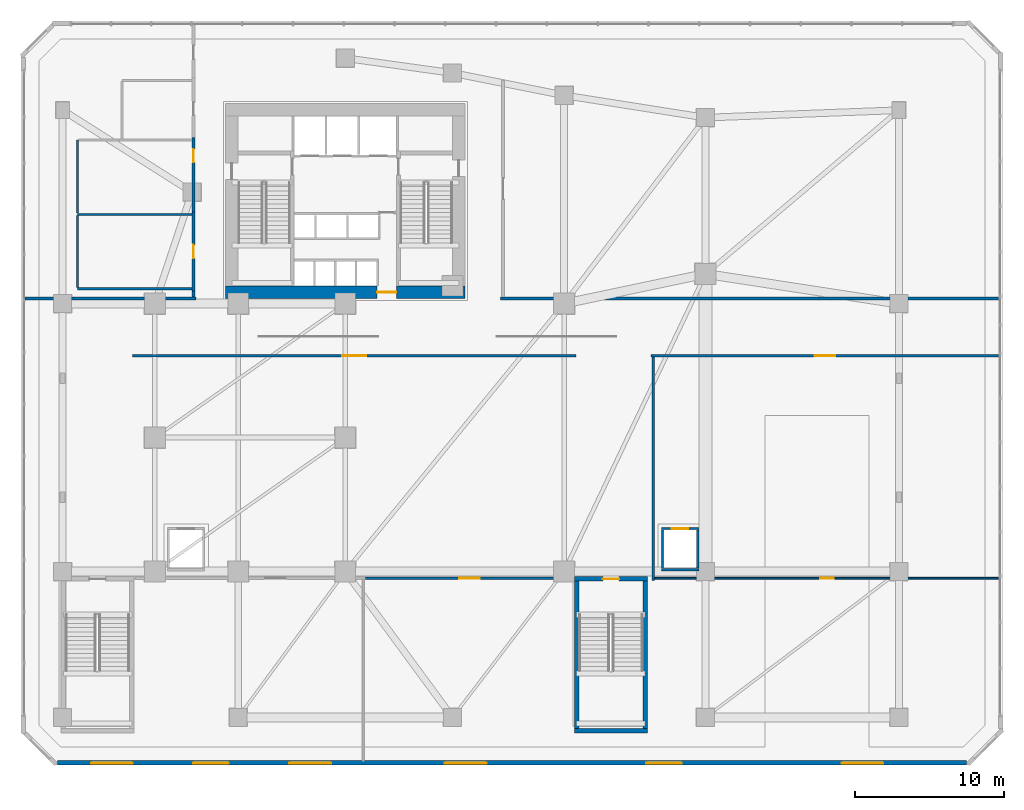
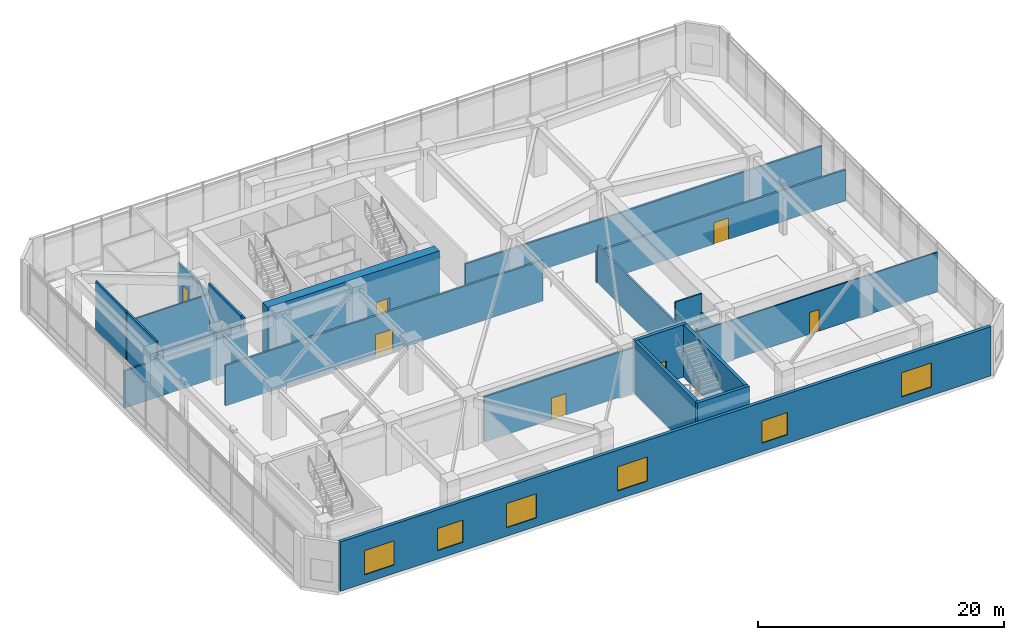
# One storey, part 10 of 16: 24 walls, 9 doors, 6 windows, 15 openings.
"""IFC4 building model written with IfcOpenShell, lengths in metres."""

import ifcopenshell
import ifcopenshell.guid

model = None  # the IFC model being written
_history = None  # IfcOwnerHistory: only IFC2X3 demands one
_inside = {}  # id of a spatial element -> (the spatial element, [elements in it])
_under = {}  # id of a project, library or spatial element -> (it, [spatial elements below it])
_declared = {}  # id of a project -> (the project, [libraries it declares])
_typed = {}  # id of a type object -> (the type object, [elements of that type])
_made_of = {}  # id of a material, layer set ... -> (it, [elements and type objects made of it])


def new_model(schema):
    """Start an empty IFC model of exactly this schema.

    Asked for "IFC4X3", IfcOpenShell would pick the latest addendum, in which some entities
    have other attributes; the version numbers below select the first issue.
    IFC2X3 requires an IfcOwnerHistory on every rooted entity: one is made here for all.
    """
    global model, _history
    if schema == "IFC4X3":
        model = ifcopenshell.file(schema_version=(4, 3, 0, 0))
    else:
        model = ifcopenshell.file(schema=schema)
    _inside.clear()
    _under.clear()
    _declared.clear()
    _typed.clear()
    _made_of.clear()
    _history = None
    if model.schema == "IFC2X3":
        org = make("IfcOrganization", Name="unknown")
        user = make(
            "IfcPersonAndOrganization",
            ThePerson=make("IfcPerson", FamilyName="unknown"),
            TheOrganization=org,
        )
        app = make(
            "IfcApplication",
            ApplicationDeveloper=org,
            Version="unknown",
            ApplicationFullName="unknown",
            ApplicationIdentifier="unknown",
        )
        _history = make(
            "IfcOwnerHistory",
            OwningUser=user,
            OwningApplication=app,
            ChangeAction="ADDED",
            CreationDate=0,
        )
    return model


def make(cls, **values):
    """One entity of the class cls with the attributes given. An attribute that is None is left unset."""
    return model.create_entity(
        cls, **{name: value for name, value in values.items() if value is not None}
    )


def rooted(cls, **values):
    """An entity with a GlobalId (a new one), such as an element, a storey or a relation."""
    return make(cls, GlobalId=ifcopenshell.guid.new(), OwnerHistory=_history, **values)


def si_unit(unit_type, name, prefix=None):
    """IfcSIUnit, for example si_unit("LENGTHUNIT", "METRE", prefix="MILLI")."""
    return make("IfcSIUnit", UnitType=unit_type, Prefix=prefix, Name=name)


def assignment(units):
    """IfcUnitAssignment: the units of a project."""
    return None if units is None else make("IfcUnitAssignment", Units=units)


def point(xyz):
    """IfcCartesianPoint."""
    return None if xyz is None else make("IfcCartesianPoint", Coordinates=xyz)


def direction(xyz):
    """IfcDirection."""
    return None if xyz is None else make("IfcDirection", DirectionRatios=xyz)


def frame(location, z_axis=None, x_axis=None):
    """IfcAxis2Placement3D, a coordinate frame: its origin and axes. An axis left out is left unset."""
    return make(
        "IfcAxis2Placement3D",
        Location=point(location),
        Axis=direction(z_axis),
        RefDirection=direction(x_axis),
    )


def frame_2d(location, x_axis=None):
    """IfcAxis2Placement2D, a coordinate frame in the plane: its origin and x axis."""
    return make(
        "IfcAxis2Placement2D", Location=point(location), RefDirection=direction(x_axis)
    )


def origin():
    """The frame at (0, 0, 0) with its axes left unset."""
    return frame((0.0, 0.0, 0.0))


def place(relative_to, where):
    """IfcLocalPlacement: puts the frame where relative to a parent placement (None: the world)."""
    return make(
        "IfcLocalPlacement", PlacementRelTo=relative_to, RelativePlacement=where
    )


def context(
    kind, dimensions, precision=None, world=None, true_north=None, identifier=None
):
    """IfcGeometricRepresentationContext, for example the 3D "Model" context."""
    return make(
        "IfcGeometricRepresentationContext",
        ContextIdentifier=identifier,
        ContextType=kind,
        CoordinateSpaceDimension=dimensions,
        Precision=precision,
        WorldCoordinateSystem=world,
        TrueNorth=true_north,
    )


def subcontext(parent, identifier, kind, view, scale=None):
    """IfcGeometricRepresentationSubContext, for example "Body" below "Model"."""
    return make(
        "IfcGeometricRepresentationSubContext",
        ContextIdentifier=identifier,
        ContextType=kind,
        ParentContext=parent,
        TargetScale=scale,
        TargetView=view,
    )


def project(units=None, contexts=None):
    """IfcProject with its units and contexts."""
    return rooted(
        "IfcProject",
        Name="project",
        RepresentationContexts=contexts,
        UnitsInContext=assignment(units),
    )


def spatial(cls, under=None, at=None, **own):
    """A site, building, storey or space (cls), placed at a placement, below another one or the project."""
    s = rooted(cls, ObjectPlacement=at, **own)
    if under is not None:
        _under.setdefault(under.id(), (under, []))[1].append(s)
    return s


def profile(cls, at=None, kind="AREA", **sizes):
    """A parametric profile (cls). Its sizes go by their IFC names, for example OverallWidth=200.0."""
    return make(cls, ProfileType=kind, Position=at, **sizes)


def rectangle(**sizes):
    """IfcRectangleProfileDef."""
    return profile("IfcRectangleProfileDef", **sizes)


def extrude(swept, where, along, depth):
    """IfcExtrudedAreaSolid: the profile swept, set in the frame where, extruded along a direction by depth."""
    return make(
        "IfcExtrudedAreaSolid",
        SweptArea=swept,
        Position=where,
        ExtrudedDirection=direction(along),
        Depth=depth,
    )


def shape(context_of_items, identifier, shape_type, items):
    """IfcShapeRepresentation: the items that make up one representation, for example the "Body"."""
    return make(
        "IfcShapeRepresentation",
        ContextOfItems=context_of_items,
        RepresentationIdentifier=identifier,
        RepresentationType=shape_type,
        Items=items,
    )


def source(mapping_origin, context_of_items, identifier, shape_type, items):
    """IfcRepresentationMap: a shape defined once, which mapped items show again and again."""
    return make(
        "IfcRepresentationMap",
        MappingOrigin=mapping_origin,
        MappedRepresentation=shape(context_of_items, identifier, shape_type, items),
    )


def transform(
    local_origin,
    x_axis=None,
    y_axis=None,
    z_axis=None,
    scale=None,
    scale2=None,
    scale3=None,
    uniform=True,
):
    """IfcCartesianTransformationOperator3D, or its non-uniform kind. x_axis, y_axis, z_axis: its Axis1, 2, 3."""
    if uniform:
        return make(
            "IfcCartesianTransformationOperator3D",
            Axis1=direction(x_axis),
            Axis2=direction(y_axis),
            LocalOrigin=point(local_origin),
            Scale=scale,
            Axis3=direction(z_axis),
        )
    return make(
        "IfcCartesianTransformationOperator3DnonUniform",
        Axis1=direction(x_axis),
        Axis2=direction(y_axis),
        LocalOrigin=point(local_origin),
        Scale=scale,
        Axis3=direction(z_axis),
        Scale2=scale2,
        Scale3=scale3,
    )


def mapped(mapping_source, mapping_target):
    """IfcMappedItem: shows the shape of a source again, moved by a transform."""
    return make(
        "IfcMappedItem", MappingSource=mapping_source, MappingTarget=mapping_target
    )


def material(Name=None, Category=None):
    """IfcMaterial."""
    return make("IfcMaterial", Name=Name, Category=Category)


def layer(
    of_material, thickness, ventilated=None, Name=None, Category=None, Priority=None
):
    """IfcMaterialLayer: one layer of a wall or slab, of a material (None: an air gap)."""
    return make(
        "IfcMaterialLayer",
        Material=of_material,
        LayerThickness=thickness,
        IsVentilated=ventilated,
        Name=Name,
        Category=Category,
        Priority=Priority,
    )


def layer_set(layers, Name=None):
    """IfcMaterialLayerSet."""
    return make("IfcMaterialLayerSet", MaterialLayers=layers, LayerSetName=Name)


def made_of(thing, what):
    """Note that an element or type object is made of a material, layer set ...; save() writes the relation."""
    if what is not None:
        _made_of.setdefault(what.id(), (what, []))[1].append(thing)
    return thing


def type_object(cls, material=None, **own):
    """A type object (cls), such as IfcWallType, which elements share."""
    return made_of(rooted(cls, **own), material)


def element(
    cls,
    number,
    at=None,
    inside=None,
    cuts=None,
    type_object=None,
    material=None,
    context=None,
    identifier="Body",
    shape_type=None,
    held_by="IfcProductDefinitionShape",
    body=None,
    shapes=None,
    **own,
):
    """One element of the class cls, such as IfcWall. Its Tag is "e" and its number.

    at: its placement. inside: the storey or other place that contains it. cuts: it is an
    opening in that element (IfcRelVoidsElement). A single representation is given by context,
    identifier, shape_type and body (its items); several are given by shapes. held_by: the class
    of the entity that holds the representations. save() writes the other relations.
    """
    e = rooted(cls, Tag="e%d" % number, ObjectPlacement=at, **own)
    if body is not None:
        shapes = [shape(context, identifier, shape_type, body)]
    if shapes is not None:
        e.Representation = make(held_by, Representations=shapes)
    if inside is not None:
        _inside.setdefault(inside.id(), (inside, []))[1].append(e)
    if cuts is not None:
        rooted(
            "IfcRelVoidsElement", RelatingBuildingElement=cuts, RelatedOpeningElement=e
        )
    if type_object is not None:
        _typed.setdefault(type_object.id(), (type_object, []))[1].append(e)
    return made_of(e, material)


def fill(opening, filler):
    """IfcRelFillsElement: the door or window that sits in an opening."""
    return rooted(
        "IfcRelFillsElement",
        RelatingOpeningElement=opening,
        RelatedBuildingElement=filler,
    )


def aggregate(whole, parts):
    """IfcRelAggregates: a whole, such as a stair, and the parts it consists of."""
    return rooted("IfcRelAggregates", RelatingObject=whole, RelatedObjects=parts)


def save(model, path):
    """Write the relations noted so far, then the file.

    IfcRelAggregates (storeys below a building ...), IfcRelContainedInSpatialStructure (elements
    in a storey), IfcRelDefinesByType, IfcRelAssociatesMaterial and IfcRelDeclares: one each for
    every whole, place, type object, material and project.
    """
    for whole, parts in _under.values():
        aggregate(whole, parts)
    for where, things in _inside.values():
        rooted(
            "IfcRelContainedInSpatialStructure",
            RelatedElements=things,
            RelatingStructure=where,
        )
    for kind, things in _typed.values():
        rooted("IfcRelDefinesByType", RelatedObjects=things, RelatingType=kind)
    for what, things in _made_of.values():
        rooted("IfcRelAssociatesMaterial", RelatedObjects=things, RelatingMaterial=what)
    for by, libraries in _declared.values():
        rooted("IfcRelDeclares", RelatingContext=by, RelatedDefinitions=libraries)
    model.write(path)


model = new_model("IFC4")

# Units and contexts
model_context = context("Model", 3, precision=1e-05, world=origin(), true_north=direction((0.0, 1.0)))
body_context = subcontext(model_context, "Body", "Model", "MODEL_VIEW")
ifc_project = project(units=[si_unit("LENGTHUNIT", "METRE"), si_unit("AREAUNIT", "SQUARE_METRE"), si_unit("VOLUMEUNIT", "CUBIC_METRE"), si_unit("PLANEANGLEUNIT", "RADIAN"), si_unit("MASSUNIT", "GRAM", prefix="KILO")], contexts=[model_context])

# Site, building, storey
site_placement = place(None, origin())
site = spatial("IfcSite", under=ifc_project, at=site_placement, CompositionType="ELEMENT")
building_placement = place(site_placement, origin())
building = spatial("IfcBuilding", under=site, at=building_placement, Name="Calvemar Wedge Station Tower", CompositionType="ELEMENT")
storey_placement = place(building_placement, frame((0.0, 0.0, 6.0)))
storey = spatial("IfcBuildingStorey", under=building, at=storey_placement, Name="L02", CompositionType="ELEMENT", Elevation=6.0)

# Walls
ifc_material_1 = material(Name="Concrete C50", Category="concrete")
ifc_layer_1 = layer(ifc_material_1, 0.300048828125)
ifc_layer_set_1 = layer_set([ifc_layer_1], Name="Concrete C50")
wall_type_1 = type_object("IfcWallType", Name="SW-CORE-300", PredefinedType="SHEAR", material=ifc_layer_set_1)
for number, where, z_axis, x_axis, name in (
    (1, (39.35009765625, 4.449951171875, 0.0), (0.0, 0.0, 1.0), (0.0, 1.0, 0.0), "Storey L02 Podium Stair STP2 Structural Wall W"),
    (2, (43.949951171875, 4.449951171875, 0.0), (0.0, 0.0, 1.0), (0.0, 1.0, 0.0), "Storey L02 Podium Stair STP2 Structural Wall E"),
):
    element("IfcWall", number, at=place(storey_placement, frame(where, z_axis=z_axis, x_axis=x_axis)), inside=storey, type_object=wall_type_1, Name=name, PredefinedType="SHEAR", context=body_context, shape_type="SweptSolid", body=[
        extrude(rectangle(XDim=9.900146484375, YDim=0.300048828125, at=frame_2d((4.9501953125, 0.0))), origin(), (0.0, 0.0, 1.0), 5.199951171875),
    ])
wall_1_placement = place(storey_placement, frame((39.199951171875, 4.300048828125, 0.0), z_axis=(0.0, 0.0, 1.0), x_axis=(1.0, 0.0, 0.0)))
element("IfcWall", 3, at=wall_1_placement, inside=storey, type_object=wall_type_1, Name="Storey L02 Podium Stair STP2 Structural Wall S", PredefinedType="SHEAR", context=body_context, shape_type="SweptSolid", body=[
    extrude(rectangle(XDim=4.900146484375, YDim=0.300048828125, at=frame_2d((2.4501953125, 0.0))), origin(), (0.0, 0.0, 1.0), 5.199951171875),
])

# Wall, opening, door
wall_2_placement = place(storey_placement, frame((39.199951171875, 14.5, 0.0), z_axis=(0.0, 0.0, 1.0), x_axis=(1.0, 0.0, 0.0)))
wall_2 = element("IfcWall", 4, at=wall_2_placement, inside=storey, type_object=wall_type_1, Name="Storey L02 Podium Stair STP2 Structural Wall N", PredefinedType="SHEAR", context=body_context, shape_type="SweptSolid", body=[
    extrude(rectangle(XDim=4.900146484375, YDim=0.300048828125, at=frame_2d((2.4501953125, 0.0))), origin(), (0.0, 0.0, 1.0), 5.199951171875),
])
shared_shape_1 = source(origin(), body_context, "Body", "SweptSolid", [
    extrude(rectangle(XDim=1.10009765625, YDim=2.14990234375, at=frame_2d((0.550048828125, 1.074951171875))), frame((0.0, 0.16015625, 0.0), z_axis=(0.0, -1.0, 0.0), x_axis=(1.0, 0.0, 0.0)), (0.0, 0.0, 1.0), 0.320068359375),
])
opening_1_placement = place(wall_2_placement, frame((1.89990234375, 0.0, 0.0)))
opening_1 = element("IfcOpeningElement", 5, at=opening_1_placement, cuts=wall_2, Name="Opening FD-90", PredefinedType="OPENING", context=body_context, shape_type="MappedRepresentation", body=[
    mapped(shared_shape_1, transform((0.0, 0.0, 0.0), scale=1.0)),
])
ifc_material_2 = material(Name="Galvanized fire-rated steel door leaf P-90", Category="steel")
door_type_1 = type_object("IfcDoorType", Name="DR-FD90-1100", OperationType="NOTDEFINED", PredefinedType="DOOR", material=ifc_material_2)
shared_shape_2 = source(origin(), body_context, "Body", "SweptSolid", [
    extrude(rectangle(XDim=1.10009765625, YDim=2.14990234375, at=frame_2d((0.550048828125, 1.074951171875))), frame((0.0, 0.02490234375, 0.0), z_axis=(0.0, -1.0, 0.0), x_axis=(1.0, 0.0, 0.0)), (0.0, 0.0, 1.0), 0.050048828125),
])
door_1_placement = place(opening_1_placement, origin())
door_1 = element("IfcDoor", 6, at=door_1_placement, inside=storey, type_object=door_type_1, Name="L02 Exit Stair ST-P2 Door", OperationType="SINGLE_SWING_LEFT", OverallHeight=2.14990234375, OverallWidth=1.10009765625, PredefinedType="DOOR", context=body_context, shape_type="MappedRepresentation", body=[
    mapped(shared_shape_2, transform((0.0, 0.0, 0.0), scale=1.0)),
])
fill(opening_1, door_1)

ifc_material_3 = material(Name="Concrete C80", Category="concrete")
ifc_layer_2 = layer(ifc_material_3, 0.85009765625)
ifc_layer_set_2 = layer_set([ifc_layer_2], Name="Concrete C80")
wall_type_2 = type_object("IfcWallType", Name="SW-CORE-850", PredefinedType="SHEAR", material=ifc_layer_set_2)
wall_3_placement = place(storey_placement, frame((15.75, 33.77490234375, 0.0), z_axis=(0.0, 0.0, 1.0), x_axis=(1.0, 0.0, 0.0)))
wall_3 = element("IfcWall", 7, at=wall_3_placement, inside=storey, type_object=wall_type_2, Name="Storey L02 Core Shear Wall S", PredefinedType="SHEAR", context=body_context, shape_type="SweptSolid", body=[
    extrude(rectangle(XDim=16.10009765625, YDim=0.85009765625, at=frame_2d((8.050048828125, 0.0))), origin(), (0.0, 0.0, 1.0), 5.199951171875),
])
shared_shape_3 = source(origin(), body_context, "Body", "SweptSolid", [
    extrude(rectangle(XDim=1.300048828125, YDim=2.14990234375, at=frame_2d((0.64990234375, 1.074951171875))), frame((0.0, 0.43505859375, 0.0), z_axis=(0.0, -1.0, 0.0), x_axis=(1.0, 0.0, 0.0)), (0.0, 0.0, 1.0), 0.8701171875),
])
opening_2_placement = place(wall_3_placement, frame((10.179931640625, 0.0, 0.0)))
opening_2 = element("IfcOpeningElement", 8, at=opening_2_placement, cuts=wall_3, Name="Opening DD-130", PredefinedType="OPENING", context=body_context, shape_type="MappedRepresentation", body=[
    mapped(shared_shape_3, transform((0.0, 0.0, 0.0), scale=1.0)),
])
ifc_material_4 = material(Name="Double-leaf lift lobby fire door EI 60")
door_type_2 = type_object("IfcDoorType", Name="DR-DBL-1300", OperationType="DOUBLE_DOOR_SINGLE_SWING", PredefinedType="DOOR", material=ifc_material_4)
shared_shape_4 = source(origin(), body_context, "Body", "SweptSolid", [
    extrude(rectangle(XDim=1.300048828125, YDim=2.14990234375, at=frame_2d((0.64990234375, 1.074951171875))), frame((0.0, 0.02490234375, 0.0), z_axis=(0.0, -1.0, 0.0), x_axis=(1.0, 0.0, 0.0)), (0.0, 0.0, 1.0), 0.050048828125),
])
door_2_placement = place(opening_2_placement, origin())
door_2 = element("IfcDoor", 9, at=door_2_placement, inside=storey, type_object=door_type_2, Name="L02 Passenger Lift Lobby Door", OperationType="DOUBLE_DOOR_SINGLE_SWING", OverallHeight=2.14990234375, OverallWidth=1.300048828125, PredefinedType="DOOR", context=body_context, shape_type="MappedRepresentation", body=[
    mapped(shared_shape_4, transform((0.0, 0.0, 0.0), scale=1.0)),
])
fill(opening_2, door_2)

# Wall
ifc_material_5 = material(Name="Double-stud fire-rated corridor partition")
ifc_layer_3 = layer(ifc_material_5, 0.179931640625)
ifc_layer_set_3 = layer_set([ifc_layer_3], Name="Double-stud fire-rated corridor partition")
wall_type_3 = type_object("IfcWallType", Name="W-CORR-180", PredefinedType="PARTITIONING", material=ifc_layer_set_3)
wall_4_placement = place(storey_placement, frame((2.264892578125, 33.35009765625, 0.0), z_axis=(0.0, 0.0, 1.0), x_axis=(1.0, 0.0, 0.0)))
element("IfcWall", 10, at=wall_4_placement, inside=storey, type_object=wall_type_3, Name="Storey L02 Interior Partition WL-L02-002", PredefinedType="PARTITIONING", context=body_context, shape_type="SweptSolid", body=[
    extrude(rectangle(XDim=11.4951171875, YDim=0.179931640625, at=frame_2d((5.74755859375, 0.0))), origin(), (0.0, 0.0, 1.0), 3.69189453125),
])

# Wall, opening, door
wall_5_placement = place(storey_placement, frame((39.31005859375, 29.5, 0.0), z_axis=(0.0, 0.0, 1.0), x_axis=(-1.0, 0.0, 0.0)))
wall_5 = element("IfcWall", 11, at=wall_5_placement, inside=storey, type_object=wall_type_3, Name="Storey L02 Interior Partition WL-L02-003", PredefinedType="PARTITIONING", context=body_context, shape_type="SweptSolid", body=[
    extrude(rectangle(XDim=29.820068359375, YDim=0.179931640625, at=frame_2d((14.91015625, 0.0))), origin(), (0.0, 0.0, 1.0), 4.030029296875),
])
shared_shape_5 = source(origin(), body_context, "Body", "SweptSolid", [
    extrude(rectangle(XDim=1.60009765625, YDim=2.14990234375, at=frame_2d((0.800048828125, 1.074951171875))), frame((0.0, 0.10009765625, 0.0), z_axis=(0.0, -1.0, 0.0), x_axis=(1.0, 0.0, 0.0)), (0.0, 0.0, 1.0), 0.199951171875),
])
opening_3_placement = place(wall_5_placement, frame((14.110107421875, 0.0, 0.0)))
opening_3 = element("IfcOpeningElement", 12, at=opening_3_placement, cuts=wall_5, Name="Opening DD-160", PredefinedType="OPENING", context=body_context, shape_type="MappedRepresentation", body=[
    mapped(shared_shape_5, transform((0.0, 0.0, 0.0), scale=1.0)),
])
ifc_material_6 = material(Name="Double-leaf fire-rated lobby door EI 60")
door_type_3 = type_object("IfcDoorType", Name="DR-DBL-1600", OperationType="DOUBLE_DOOR_SINGLE_SWING", PredefinedType="DOOR", material=ifc_material_6)
shared_shape_6 = source(origin(), body_context, "Body", "SweptSolid", [
    extrude(rectangle(XDim=1.60009765625, YDim=2.14990234375, at=frame_2d((0.800048828125, 1.074951171875))), frame((0.0, 0.02490234375, 0.0), z_axis=(0.0, -1.0, 0.0), x_axis=(1.0, 0.0, 0.0)), (0.0, 0.0, 1.0), 0.050048828125),
])
door_3_placement = place(opening_3_placement, origin())
door_3 = element("IfcDoor", 13, at=door_3_placement, inside=storey, type_object=door_type_3, Name="L02 Intercity Passenger Waiting Lounge Door", OperationType="SINGLE_SWING_LEFT", OverallHeight=2.14990234375, OverallWidth=1.60009765625, PredefinedType="DOOR", context=body_context, shape_type="MappedRepresentation", body=[
    mapped(shared_shape_6, transform((0.0, 0.0, 0.0), scale=1.0)),
])
fill(opening_3, door_3)

wall_6_placement = place(storey_placement, frame((67.735107421875, 29.5, 0.0), z_axis=(0.0, 0.0, 1.0), x_axis=(-1.0, 0.0, 0.0)))
wall_6 = element("IfcWall", 14, at=wall_6_placement, inside=storey, type_object=wall_type_3, Name="Storey L02 Interior Partition WL-L02-004", PredefinedType="PARTITIONING", context=body_context, shape_type="SweptSolid", body=[
    extrude(rectangle(XDim=23.39501953125, YDim=0.179931640625, at=frame_2d((11.697509765625, 0.0))), origin(), (0.0, 0.0, 1.0), 3.092041015625),
])
shared_shape_7 = source(origin(), body_context, "Body", "SweptSolid", [
    extrude(rectangle(XDim=1.39990234375, YDim=2.14990234375, at=frame_2d((0.699951171875, 1.074951171875))), frame((0.0, 0.10009765625, 0.0), z_axis=(0.0, -1.0, 0.0), x_axis=(1.0, 0.0, 0.0)), (0.0, 0.0, 1.0), 0.199951171875),
])
opening_4_placement = place(wall_6_placement, frame((10.99755859375, 0.0, 0.0)))
opening_4 = element("IfcOpeningElement", 15, at=opening_4_placement, cuts=wall_6, Name="Opening DD-140", PredefinedType="OPENING", context=body_context, shape_type="MappedRepresentation", body=[
    mapped(shared_shape_7, transform((0.0, 0.0, 0.0), scale=1.0)),
])
ifc_material_7 = material(Name="Double-leaf corridor acoustic fire door EI 60")
door_type_4 = type_object("IfcDoorType", Name="DR-DBL-1400", OperationType="DOUBLE_DOOR_SINGLE_SWING", PredefinedType="DOOR", material=ifc_material_7)
shared_shape_8 = source(origin(), body_context, "Body", "SweptSolid", [
    extrude(rectangle(XDim=1.39990234375, YDim=2.14990234375, at=frame_2d((0.699951171875, 1.074951171875))), frame((0.0, 0.02490234375, 0.0), z_axis=(0.0, -1.0, 0.0), x_axis=(1.0, 0.0, 0.0)), (0.0, 0.0, 1.0), 0.050048828125),
])
door_4_placement = place(opening_4_placement, origin())
door_4 = element("IfcDoor", 16, at=door_4_placement, inside=storey, type_object=door_type_4, Name="L02 Mezzanine Retail Shop 1 Door", OperationType="SINGLE_SWING_RIGHT", OverallHeight=2.14990234375, OverallWidth=1.39990234375, PredefinedType="DOOR", context=body_context, shape_type="MappedRepresentation", body=[
    mapped(shared_shape_8, transform((0.0, 0.0, 0.0), scale=1.0)),
])
fill(opening_4, door_4)

# Walls
wall_7_placement = place(storey_placement, frame((34.239990234375, 33.35009765625, 0.0), z_axis=(0.0, 0.0, 1.0), x_axis=(1.0, 0.0, 0.0)))
element("IfcWall", 17, at=wall_7_placement, inside=storey, type_object=wall_type_3, Name="Storey L02 Interior Partition WL-L02-005", PredefinedType="PARTITIONING", context=body_context, shape_type="SweptSolid", body=[
    extrude(rectangle(XDim=33.4951171875, YDim=0.179931640625, at=frame_2d((16.74755859375, 0.0))), origin(), (0.0, 0.0, 1.0), 3.092041015625),
])
wall_8_placement = place(storey_placement, frame((44.5, 29.406005859375, 0.0), z_axis=(0.0, 0.0, 1.0), x_axis=(0.0, -1.0, 0.0)))
element("IfcWall", 18, at=wall_8_placement, inside=storey, type_object=wall_type_3, Name="Storey L02 Interior Partition WL-L02-006", PredefinedType="PARTITIONING", context=body_context, shape_type="SweptSolid", body=[
    extrude(rectangle(XDim=15.006103515625, YDim=0.179931640625, at=frame_2d((7.5029296875, 0.0))), origin(), (0.0, 0.0, 1.0), 3.69189453125),
])

# Wall, opening, door
wall_9_placement = place(storey_placement, frame((13.60009765625, 33.840087890625, 0.0), z_axis=(0.0, 0.0, 1.0), x_axis=(0.0, 1.0, 0.0)))
wall_9 = element("IfcWall", 19, at=wall_9_placement, inside=storey, type_object=wall_type_3, Name="Storey L02 Interior Partition WL-L02-007", PredefinedType="PARTITIONING", context=body_context, shape_type="SweptSolid", body=[
    extrude(rectangle(XDim=5.31982421875, YDim=0.179931640625, at=frame_2d((2.659912109375, 0.0))), origin(), (0.0, 0.0, 1.0), 4.89990234375),
])
shared_shape_9 = source(origin(), body_context, "Body", "SweptSolid", [
    extrude(rectangle(XDim=0.89990234375, YDim=2.14990234375, at=frame_2d((0.449951171875, 1.074951171875))), frame((0.0, 0.10009765625, 0.0), z_axis=(0.0, -1.0, 0.0), x_axis=(1.0, 0.0, 0.0)), (0.0, 0.0, 1.0), 0.199951171875),
])
opening_5_placement = place(wall_9_placement, frame((2.2099609375, 0.0, 0.0)))
opening_5 = element("IfcOpeningElement", 20, at=opening_5_placement, cuts=wall_9, Name="Opening D-01", PredefinedType="OPENING", context=body_context, shape_type="MappedRepresentation", body=[
    mapped(shared_shape_9, transform((0.0, 0.0, 0.0), scale=1.0)),
])
ifc_material_8 = material(Name="Architectural hardwood acoustic swing door", Category="wood")
door_type_5 = type_object("IfcDoorType", Name="DR-INT-900", OperationType="NOTDEFINED", PredefinedType="DOOR", material=ifc_material_8)
shared_shape_10 = source(origin(), body_context, "Body", "SweptSolid", [
    extrude(rectangle(XDim=0.89990234375, YDim=2.14990234375, at=frame_2d((0.449951171875, 1.074951171875))), frame((0.0, 0.02490234375, 0.0), z_axis=(0.0, -1.0, 0.0), x_axis=(1.0, 0.0, 0.0)), (0.0, 0.0, 1.0), 0.050048828125),
])
door_5_placement = place(opening_5_placement, origin())
door_5 = element("IfcDoor", 21, at=door_5_placement, inside=storey, type_object=door_type_5, Name="L02 Male Toilet Door", OperationType="SINGLE_SWING_LEFT", OverallHeight=2.14990234375, OverallWidth=0.89990234375, PredefinedType="DOOR", context=body_context, shape_type="MappedRepresentation", body=[
    mapped(shared_shape_10, transform((0.0, 0.0, 0.0), scale=1.0)),
])
fill(opening_5, door_5)

wall_10_placement = place(storey_placement, frame((13.60009765625, 39.162109375, 0.0), z_axis=(0.0, 0.0, 1.0), x_axis=(0.0, 1.0, 0.0)))
wall_10 = element("IfcWall", 22, at=wall_10_placement, inside=storey, type_object=wall_type_3, Name="Storey L02 Interior Partition WL-L02-008", PredefinedType="PARTITIONING", context=body_context, shape_type="SweptSolid", body=[
    extrude(rectangle(XDim=4.997802734375, YDim=0.179931640625, at=frame_2d((2.4990234375, 0.0))), origin(), (0.0, 0.0, 1.0), 3.94189453125),
])
opening_6_placement = place(wall_10_placement, frame((3.330078125, 0.0, 0.0)))
opening_6 = element("IfcOpeningElement", 23, at=opening_6_placement, cuts=wall_10, Name="Opening D-01", PredefinedType="OPENING", context=body_context, shape_type="MappedRepresentation", body=[
    mapped(shared_shape_9, transform((0.0, 0.0, 0.0), scale=1.0)),
])
door_6_placement = place(opening_6_placement, origin())
door_6 = element("IfcDoor", 24, at=door_6_placement, inside=storey, type_object=door_type_5, Name="L02 Female Toilet Door", OperationType="SINGLE_SWING_RIGHT", OverallHeight=2.14990234375, OverallWidth=0.89990234375, PredefinedType="DOOR", context=body_context, shape_type="MappedRepresentation", body=[
    mapped(shared_shape_10, transform((0.0, 0.0, 0.0), scale=1.0)),
])
fill(opening_6, door_6)

# Wall
wall_11_placement = place(storey_placement, frame((13.60009765625, 33.444091796875, 0.0), z_axis=(0.0, 0.0, 1.0), x_axis=(0.0, 1.0, 0.0)))
element("IfcWall", 25, at=wall_11_placement, inside=storey, type_object=wall_type_3, Name="Storey L02 Interior Partition WL-L02-011", PredefinedType="PARTITIONING", context=body_context, shape_type="SweptSolid", body=[
    extrude(rectangle(XDim=0.393798828125, YDim=0.179931640625, at=frame_2d((0.19677734375, 0.0))), origin(), (0.0, 0.0, 1.0), 4.89990234375),
])

# Wall, opening, door
wall_12_placement = place(storey_placement, frame((39.1298828125, 14.550048828125, 0.0), z_axis=(0.0, 0.0, 1.0), x_axis=(-1.0, 0.0, 0.0)))
wall_12 = element("IfcWall", 26, at=wall_12_placement, inside=storey, type_object=wall_type_3, Name="Storey L02 Interior Partition WL-L02-022", PredefinedType="PARTITIONING", context=body_context, shape_type="SweptSolid", body=[
    extrude(rectangle(XDim=13.9677734375, YDim=0.179931640625, at=frame_2d((6.98388671875, 0.0))), origin(), (0.0, 0.0, 1.0), 4.485107421875),
])
opening_7_placement = place(wall_12_placement, frame((6.283935546875, 0.0, 0.0)))
opening_7 = element("IfcOpeningElement", 27, at=opening_7_placement, cuts=wall_12, Name="Opening DD-140", PredefinedType="OPENING", context=body_context, shape_type="MappedRepresentation", body=[
    mapped(shared_shape_7, transform((0.0, 0.0, 0.0), scale=1.0)),
])
door_7_placement = place(opening_7_placement, origin())
door_7 = element("IfcDoor", 28, at=door_7_placement, inside=storey, type_object=door_type_4, Name="L02 Pharmacy and Travel Clinic Door", OperationType="SINGLE_SWING_RIGHT", OverallHeight=2.14990234375, OverallWidth=1.39990234375, PredefinedType="DOOR", context=body_context, shape_type="MappedRepresentation", body=[
    mapped(shared_shape_8, transform((0.0, 0.0, 0.0), scale=1.0)),
])
fill(opening_7, door_7)

# Wall, openings, windows
ifc_material_9 = material(Name="Precast concrete C45", Category="concrete")
ifc_layer_4 = layer(ifc_material_9, 0.300048828125)
ifc_layer_set_4 = layer_set([ifc_layer_4], Name="Precast concrete C45")
wall_type_4 = type_object("IfcWallType", Name="W-EXT-GFRC-300", PredefinedType="SOLIDWALL", material=ifc_layer_set_4)
wall_13_placement = place(storey_placement, frame((4.457275390625, 2.14990234375, 0.0), z_axis=(0.0, 0.0, 1.0), x_axis=(1.0, 0.0, 0.0)))
wall_13 = element("IfcWall", 29, at=wall_13_placement, inside=storey, type_object=wall_type_4, Name="Storey L02 Bronze GFRC Exterior Wall 8", PredefinedType="SOLIDWALL", context=body_context, shape_type="SweptSolid", body=[
    extrude(rectangle(XDim=61.08544921875, YDim=0.300048828125, at=frame_2d((30.542724609375, 0.0))), origin(), (0.0, 0.0, 1.0), 4.89990234375),
])
shared_shape_11 = source(origin(), body_context, "Body", "SweptSolid", [
    extrude(rectangle(XDim=2.800048828125, YDim=2.39990234375, at=frame_2d((1.39990234375, 1.199951171875))), frame((0.0, 0.16015625, 0.0), z_axis=(0.0, -1.0, 0.0), x_axis=(1.0, 0.0, 0.0)), (0.0, 0.0, 1.0), 0.320068359375),
])
opening_8_placement = place(wall_13_placement, frame((2.25390625, 0.0, 0.85009765625)))
opening_8 = element("IfcOpeningElement", 30, at=opening_8_placement, cuts=wall_13, Name="Opening W6", PredefinedType="OPENING", context=body_context, shape_type="MappedRepresentation", body=[
    mapped(shared_shape_11, transform((0.0, 0.0, 0.0), scale=1.0)),
])
shared_shape_12 = source(origin(), body_context, "Body", "SweptSolid", [
    extrude(rectangle(XDim=2.39990234375, YDim=2.199951171875, at=frame_2d((1.199951171875, 1.10009765625))), frame((0.0, 0.16015625, 0.0), z_axis=(0.0, -1.0, 0.0), x_axis=(1.0, 0.0, 0.0)), (0.0, 0.0, 1.0), 0.320068359375),
])
opening_9_placement = place(wall_13_placement, frame((9.12109375, 0.0, 0.85009765625)))
opening_9 = element("IfcOpeningElement", 31, at=opening_9_placement, cuts=wall_13, Name="Opening W1", PredefinedType="OPENING", context=body_context, shape_type="MappedRepresentation", body=[
    mapped(shared_shape_12, transform((0.0, 0.0, 0.0), scale=1.0)),
])
opening_10_placement = place(wall_13_placement, frame((15.589111328125, 0.0, 0.85009765625)))
opening_10 = element("IfcOpeningElement", 32, at=opening_10_placement, cuts=wall_13, Name="Opening W6", PredefinedType="OPENING", context=body_context, shape_type="MappedRepresentation", body=[
    mapped(shared_shape_11, transform((0.0, 0.0, 0.0), scale=1.0)),
])
opening_11_placement = place(wall_13_placement, frame((26.030029296875, 0.0, 0.85009765625)))
opening_11 = element("IfcOpeningElement", 33, at=opening_11_placement, cuts=wall_13, Name="Opening W6", PredefinedType="OPENING", context=body_context, shape_type="MappedRepresentation", body=[
    mapped(shared_shape_11, transform((0.0, 0.0, 0.0), scale=1.0)),
])
opening_12_placement = place(wall_13_placement, frame((39.56396484375, 0.0, 0.85009765625)))
opening_12 = element("IfcOpeningElement", 34, at=opening_12_placement, cuts=wall_13, Name="Opening W1", PredefinedType="OPENING", context=body_context, shape_type="MappedRepresentation", body=[
    mapped(shared_shape_12, transform((0.0, 0.0, 0.0), scale=1.0)),
])
opening_13_placement = place(wall_13_placement, frame((52.697998046875, 0.0, 0.85009765625)))
opening_13 = element("IfcOpeningElement", 35, at=opening_13_placement, cuts=wall_13, Name="Opening W6", PredefinedType="OPENING", context=body_context, shape_type="MappedRepresentation", body=[
    mapped(shared_shape_11, transform((0.0, 0.0, 0.0), scale=1.0)),
])
ifc_material_10 = material(Name="Low-E laminated insulated glass", Category="glass")
window_type_1 = type_object("IfcWindowType", Name="WIN-EXT-6", PartitioningType="SINGLE_PANEL", PredefinedType="WINDOW", material=ifc_material_10)
shared_shape_13 = source(origin(), body_context, "Body", "SweptSolid", [
    extrude(rectangle(XDim=2.800048828125, YDim=2.39990234375, at=frame_2d((1.39990234375, 1.199951171875))), frame((0.0, -0.014892578125, 0.0), z_axis=(0.0, -1.0, 0.0), x_axis=(1.0, 0.0, 0.0)), (0.0, 0.0, 1.0), 0.06005859375),
])
window_1_placement = place(opening_8_placement, origin())
window_1 = element("IfcWindow", 36, at=window_1_placement, inside=storey, type_object=window_type_1, Name="Storey L02 Recessed Window 8.1", OverallHeight=2.39990234375, OverallWidth=2.800048828125, PartitioningType="SINGLE_PANEL", PredefinedType="WINDOW", context=body_context, shape_type="MappedRepresentation", body=[
    mapped(shared_shape_13, transform((0.0, 0.0, 0.0), scale=1.0)),
])
fill(opening_8, window_1)
window_2_placement = place(opening_10_placement, origin())
window_2 = element("IfcWindow", 37, at=window_2_placement, inside=storey, type_object=window_type_1, Name="Storey L02 Recessed Window 8.3", OverallHeight=2.39990234375, OverallWidth=2.800048828125, PartitioningType="SINGLE_PANEL", PredefinedType="WINDOW", context=body_context, shape_type="MappedRepresentation", body=[
    mapped(shared_shape_13, transform((0.0, 0.0, 0.0), scale=1.0)),
])
fill(opening_10, window_2)
window_3_placement = place(opening_11_placement, origin())
window_3 = element("IfcWindow", 38, at=window_3_placement, inside=storey, type_object=window_type_1, Name="Storey L02 Recessed Window 8.4", OverallHeight=2.39990234375, OverallWidth=2.800048828125, PartitioningType="SINGLE_PANEL", PredefinedType="WINDOW", context=body_context, shape_type="MappedRepresentation", body=[
    mapped(shared_shape_13, transform((0.0, 0.0, 0.0), scale=1.0)),
])
fill(opening_11, window_3)
window_4_placement = place(opening_13_placement, origin())
window_4 = element("IfcWindow", 39, at=window_4_placement, inside=storey, type_object=window_type_1, Name="Storey L02 Recessed Window 8.6", OverallHeight=2.39990234375, OverallWidth=2.800048828125, PartitioningType="SINGLE_PANEL", PredefinedType="WINDOW", context=body_context, shape_type="MappedRepresentation", body=[
    mapped(shared_shape_13, transform((0.0, 0.0, 0.0), scale=1.0)),
])
fill(opening_13, window_4)
window_type_2 = type_object("IfcWindowType", Name="WIN-EXT-1", PartitioningType="SINGLE_PANEL", PredefinedType="WINDOW", material=ifc_material_10)
shared_shape_14 = source(origin(), body_context, "Body", "SweptSolid", [
    extrude(rectangle(XDim=2.39990234375, YDim=2.199951171875, at=frame_2d((1.199951171875, 1.10009765625))), frame((0.0, -0.014892578125, 0.0), z_axis=(0.0, -1.0, 0.0), x_axis=(1.0, 0.0, 0.0)), (0.0, 0.0, 1.0), 0.06005859375),
])
window_5_placement = place(opening_9_placement, origin())
window_5 = element("IfcWindow", 40, at=window_5_placement, inside=storey, type_object=window_type_2, Name="Storey L02 Recessed Window 8.2", OverallHeight=2.199951171875, OverallWidth=2.39990234375, PartitioningType="SINGLE_PANEL", PredefinedType="WINDOW", context=body_context, shape_type="MappedRepresentation", body=[
    mapped(shared_shape_14, transform((0.0, 0.0, 0.0), scale=1.0)),
])
fill(opening_9, window_5)
window_6_placement = place(opening_12_placement, origin())
window_6 = element("IfcWindow", 41, at=window_6_placement, inside=storey, type_object=window_type_2, Name="Storey L02 Recessed Window 8.5", OverallHeight=2.199951171875, OverallWidth=2.39990234375, PartitioningType="SINGLE_PANEL", PredefinedType="WINDOW", context=body_context, shape_type="MappedRepresentation", body=[
    mapped(shared_shape_14, transform((0.0, 0.0, 0.0), scale=1.0)),
])
fill(opening_12, window_6)

# Wall, opening, door
ifc_material_11 = material(Name="Reinforced concrete blockwork lift shaft wall", Category="masonry")
ifc_layer_5 = layer(ifc_material_11, 0.139892578125)
ifc_layer_set_5 = layer_set([ifc_layer_5], Name="Reinforced concrete blockwork lift shaft wall")
wall_type_5 = type_object("IfcWallType", Name="W-LIFT-160", PredefinedType="SOLIDWALL", material=ifc_layer_set_5)
wall_14_placement = place(storey_placement, frame((45.050048828125, 17.8798828125, 0.0), z_axis=(0.0, 0.0, 1.0), x_axis=(1.0, 0.0, 0.0)))
wall_14 = element("IfcWall", 42, at=wall_14_placement, inside=storey, type_object=wall_type_5, Name="Storey L02 Station Lift SL-02 Shaft Wall N", PredefinedType="SOLIDWALL", context=body_context, shape_type="SweptSolid", body=[
    extrude(rectangle(XDim=2.5, YDim=0.139892578125, at=frame_2d((1.25, 0.0))), origin(), (0.0, 0.0, 1.0), 4.89990234375),
])
shared_shape_15 = source(origin(), body_context, "Body", "SweptSolid", [
    extrude(rectangle(XDim=1.10009765625, YDim=2.14990234375, at=frame_2d((0.550048828125, 1.074951171875))), frame((0.0, 0.080078125, 0.0), z_axis=(0.0, -1.0, 0.0), x_axis=(1.0, 0.0, 0.0)), (0.0, 0.0, 1.0), 0.159912109375),
])
opening_14_placement = place(wall_14_placement, frame((0.699951171875, 0.0, 0.0)))
opening_14 = element("IfcOpeningElement", 43, at=opening_14_placement, cuts=wall_14, Name="Opening LD-STN", PredefinedType="OPENING", context=body_context, shape_type="MappedRepresentation", body=[
    mapped(shared_shape_15, transform((0.0, 0.0, 0.0), scale=1.0)),
])
ifc_material_12 = material(Name="Stainless steel transit lift sliding landing door", Category="steel")
door_type_6 = type_object("IfcDoorType", Name="DR-LD-PAX-1100", OperationType="SLIDING_TO_LEFT", PredefinedType="DOOR", material=ifc_material_12)
shared_shape_16 = source(origin(), body_context, "Body", "SweptSolid", [
    extrude(rectangle(XDim=1.10009765625, YDim=2.14990234375, at=frame_2d((0.550048828125, 1.074951171875))), frame((0.0, 0.02490234375, 0.0), z_axis=(0.0, -1.0, 0.0), x_axis=(1.0, 0.0, 0.0)), (0.0, 0.0, 1.0), 0.050048828125),
])
door_8_placement = place(opening_14_placement, origin())
door_8 = element("IfcDoor", 44, at=door_8_placement, inside=storey, type_object=door_type_6, Name="L02 Station Lift SL-02 Sliding Landing Door", OperationType="SLIDING_TO_RIGHT", OverallHeight=2.14990234375, OverallWidth=1.10009765625, PredefinedType="DOOR", context=body_context, shape_type="MappedRepresentation", body=[
    mapped(shared_shape_16, transform((0.0, 0.0, 0.0), scale=1.0)),
])
fill(opening_14, door_8)

# Walls
wall_15_placement = place(storey_placement, frame((45.050048828125, 15.1201171875, 0.0), z_axis=(0.0, 0.0, 1.0), x_axis=(1.0, 0.0, 0.0)))
element("IfcWall", 45, at=wall_15_placement, inside=storey, type_object=wall_type_5, Name="Storey L02 Station Lift SL-02 Shaft Wall S", PredefinedType="SOLIDWALL", context=body_context, shape_type="SweptSolid", body=[
    extrude(rectangle(XDim=2.5, YDim=0.139892578125, at=frame_2d((1.25, 0.0))), origin(), (0.0, 0.0, 1.0), 3.69189453125),
])
wall_16_placement = place(storey_placement, frame((45.1201171875, 15.219970703125, 0.0), z_axis=(0.0, 0.0, 1.0), x_axis=(0.0, 1.0, 0.0)))
element("IfcWall", 46, at=wall_16_placement, inside=storey, type_object=wall_type_5, Name="Storey L02 Station Lift SL-02 Shaft Wall W", PredefinedType="SOLIDWALL", context=body_context, shape_type="SweptSolid", body=[
    extrude(rectangle(XDim=2.56005859375, YDim=0.139892578125, at=frame_2d((1.280029296875, 0.0))), origin(), (0.0, 0.0, 1.0), 3.69189453125),
])
wall_17_placement = place(storey_placement, frame((47.47998046875, 15.219970703125, 0.0), z_axis=(0.0, 0.0, 1.0), x_axis=(0.0, 1.0, 0.0)))
element("IfcWall", 47, at=wall_17_placement, inside=storey, type_object=wall_type_5, Name="Storey L02 Station Lift SL-02 Shaft Wall E", PredefinedType="SOLIDWALL", context=body_context, shape_type="SweptSolid", body=[
    extrude(rectangle(XDim=2.56005859375, YDim=0.139892578125, at=frame_2d((1.280029296875, 0.0))), origin(), (0.0, 0.0, 1.0), 3.092041015625),
])

# Wall, opening, door
ifc_material_13 = material(Name="Insulated acoustic gypsum stud partition")
ifc_layer_6 = layer(ifc_material_13, 0.125)
ifc_layer_set_6 = layer_set([ifc_layer_6], Name="Insulated acoustic gypsum stud partition")
wall_type_6 = type_object("IfcWallType", Name="W-PART-125", PredefinedType="PARTITIONING", material=ifc_layer_set_6)
wall_18_placement = place(storey_placement, frame((67.735107421875, 14.550048828125, 0.0), z_axis=(0.0, 0.0, 1.0), x_axis=(-1.0, 0.0, 0.0)))
wall_18 = element("IfcWall", 48, at=wall_18_placement, inside=storey, type_object=wall_type_6, Name="Storey L02 Interior Partition WL-L02-023", PredefinedType="PARTITIONING", context=body_context, shape_type="SweptSolid", body=[
    extrude(rectangle(XDim=23.14111328125, YDim=0.125, at=frame_2d((11.570556640625, 0.0))), origin(), (0.0, 0.0, 1.0), 3.94189453125),
])
shared_shape_17 = source(origin(), body_context, "Body", "SweptSolid", [
    extrude(rectangle(XDim=0.89990234375, YDim=2.14990234375, at=frame_2d((0.449951171875, 1.074951171875))), frame((0.0, 0.072509765625, 0.0), z_axis=(0.0, -1.0, 0.0), x_axis=(1.0, 0.0, 0.0)), (0.0, 0.0, 1.0), 0.14501953125),
])
opening_15_placement = place(wall_18_placement, frame((11.12060546875, 0.0, 0.0)))
opening_15 = element("IfcOpeningElement", 49, at=opening_15_placement, cuts=wall_18, Name="Opening D-01", PredefinedType="OPENING", context=body_context, shape_type="MappedRepresentation", body=[
    mapped(shared_shape_17, transform((0.0, 0.0, 0.0), scale=1.0)),
])
door_9_placement = place(opening_15_placement, origin())
door_9 = element("IfcDoor", 50, at=door_9_placement, inside=storey, type_object=door_type_5, Name="L02 Station Operations Suite Door", OperationType="SINGLE_SWING_LEFT", OverallHeight=2.14990234375, OverallWidth=0.89990234375, PredefinedType="DOOR", context=body_context, shape_type="MappedRepresentation", body=[
    mapped(shared_shape_10, transform((0.0, 0.0, 0.0), scale=1.0)),
])
fill(opening_15, door_9)

# Walls
ifc_material_14 = material(Name="Moisture-resistant acoustic bathroom partition")
ifc_layer_7 = layer(ifc_material_14, 0.14990234375)
ifc_layer_set_7 = layer_set([ifc_layer_7], Name="Moisture-resistant acoustic bathroom partition")
wall_type_7 = type_object("IfcWallType", Name="W-WET-150", PredefinedType="PARTITIONING", material=ifc_layer_set_7)
for number, where, z_axis, x_axis, name in (
    (51, (5.800048828125, 39.0, 0.0), (0.0, 0.0, 1.0), (1.0, 0.0, 0.0), "Storey L02 Interior Partition WL-L02-013"),
    (52, (13.506103515625, 34.0, 0.0), (0.0, 0.0, 1.0), (-1.0, 0.0, 0.0), "Storey L02 Interior Partition WL-L02-014"),
):
    element("IfcWall", number, at=place(storey_placement, frame(where, z_axis=z_axis, x_axis=x_axis)), inside=storey, type_object=wall_type_7, Name=name, PredefinedType="PARTITIONING", context=body_context, shape_type="SweptSolid", body=[
        extrude(rectangle(XDim=7.7060546875, YDim=0.14990234375, at=frame_2d((3.85302734375, 0.0))), origin(), (0.0, 0.0, 1.0), 3.94189453125),
    ])
wall_19_placement = place(storey_placement, frame((5.800048828125, 34.0791015625, 0.0), z_axis=(0.0, 0.0, 1.0), x_axis=(0.0, 1.0, 0.0)))
element("IfcWall", 53, at=wall_19_placement, inside=storey, type_object=wall_type_7, Name="Storey L02 Interior Partition WL-L02-015", PredefinedType="PARTITIONING", context=body_context, shape_type="SweptSolid", body=[
    extrude(rectangle(XDim=4.841796875, YDim=0.14990234375, at=frame_2d((2.4208984375, 0.0))), origin(), (0.0, 0.0, 1.0), 4.89990234375),
])
wall_20_placement = place(storey_placement, frame((5.800048828125, 39.0791015625, 0.0), z_axis=(0.0, 0.0, 1.0), x_axis=(0.0, 1.0, 0.0)))
element("IfcWall", 54, at=wall_20_placement, inside=storey, type_object=wall_type_7, Name="Storey L02 Interior Partition WL-L02-017", PredefinedType="PARTITIONING", context=body_context, shape_type="SweptSolid", body=[
    extrude(rectangle(XDim=4.9208984375, YDim=0.14990234375, at=frame_2d((2.46044921875, 0.0))), origin(), (0.0, 0.0, 1.0), 4.89990234375),
])

save(model, "model.ifc")
